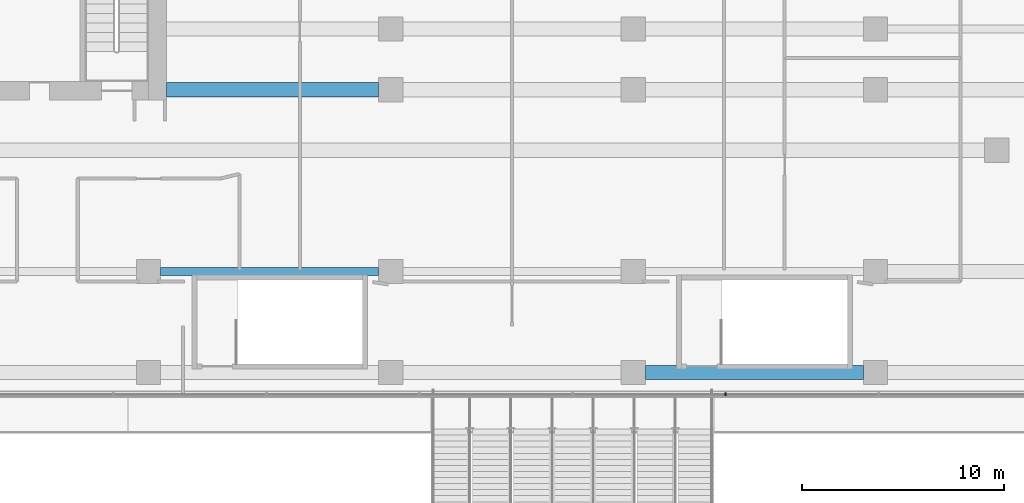
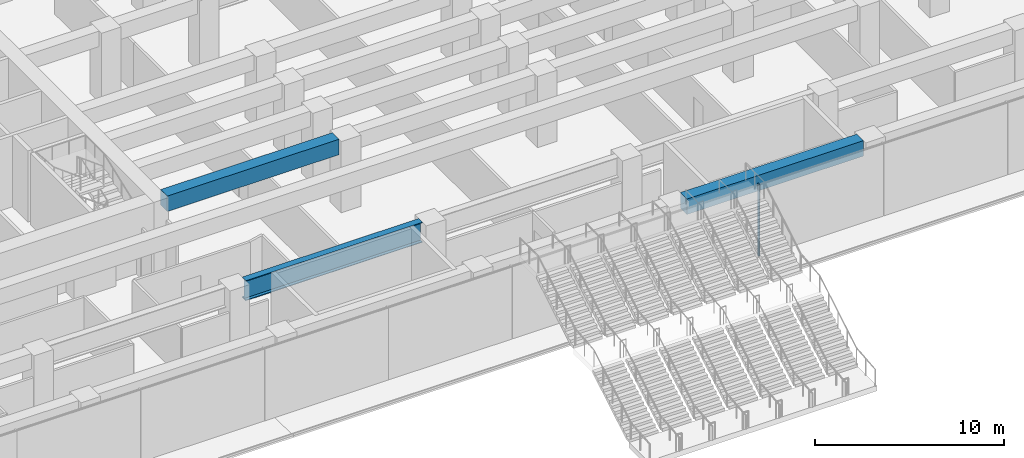
# One storey, part 5 of 40: 3 beams, 1 member, 1 element without a shape of its own.
"""IFC4 building model written with IfcOpenShell, lengths in metres."""

from ifc_helpers import new_model, si_unit, direction, frame, origin, origin_2d, place, context, subcontext, project, spatial, rectangle, i_section, extrude, material, layer, layer_set, material_profile, profile_set, type_object, element, aggregate, save


model = new_model("IFC4")

# Units and contexts
model_context = context("Model", 3, precision=1e-05, world=origin(), true_north=direction((0.0, 1.0)))
body_context = subcontext(model_context, "Body", "Model", "MODEL_VIEW")
ifc_project = project(units=[si_unit("LENGTHUNIT", "METRE"), si_unit("AREAUNIT", "SQUARE_METRE"), si_unit("VOLUMEUNIT", "CUBIC_METRE"), si_unit("PLANEANGLEUNIT", "RADIAN"), si_unit("MASSUNIT", "GRAM", prefix="KILO")], contexts=[model_context])

# Site, building, storey
site_placement = place(None, origin())
site = spatial("IfcSite", under=ifc_project, at=site_placement, CompositionType="ELEMENT")
building_placement = place(site_placement, origin())
building = spatial("IfcBuilding", under=site, at=building_placement, Name="Welwitschia Terrace Campus", CompositionType="ELEMENT")
storey_placement = place(building_placement, frame((0.0, 0.0, 6.0)))
storey = spatial("IfcBuildingStorey", under=building, at=storey_placement, Name="L01", CompositionType="ELEMENT", Elevation=6.0)

# Beams
ifc_material_1 = material(Name="Concrete C60/75", Category="concrete")
ifc_material_profile_1 = material_profile(ifc_material_1, rectangle(XDim=0.699951171875, YDim=1.0, at=origin_2d()))
ifc_profile_set_1 = profile_set([ifc_material_profile_1], Name="Concrete C60/75")
beam_type_1 = type_object("IfcBeamType", Name="Base block beam 700x1000", PredefinedType="BEAM", material=ifc_profile_set_1)
beam_1_placement = place(storey_placement, frame((48.6005859375, -9.0, 4.10009765625), z_axis=(1.0, 0.0, 0.0), x_axis=(0.0, 1.0, 0.0)))
element("IfcBeam", 1, at=beam_1_placement, inside=storey, type_object=beam_type_1, Name="Beam BB1", PredefinedType="BEAM", context=body_context, shape_type="SweptSolid", body=[
    extrude(rectangle(XDim=0.699951171875, YDim=1.0, at=origin_2d()), origin(), (0.0, 0.0, 1.0), 10.798828125),
])
beam_2_placement = place(storey_placement, frame((24.89990234375, 5.0, 4.10009765625), z_axis=(1.0, 0.0, 0.0), x_axis=(0.0, 1.0, 0.0)))
element("IfcBeam", 2, at=beam_2_placement, inside=storey, type_object=beam_type_1, Name="Beam BB1", PredefinedType="BEAM", context=body_context, shape_type="SweptSolid", body=[
    extrude(rectangle(XDim=0.699951171875, YDim=1.0, at=origin_2d()), origin(), (0.0, 0.0, 1.0), 10.49951171875),
])

# Curtain wall, member
ifc_material_2 = material(Name="Bronze anodised aluminium", Category="aluminium")
ifc_layer = layer(ifc_material_2, 0.14990234375)
ifc_layer_set = layer_set([ifc_layer], Name="Bronze anodised aluminium")
curtain_wall_type = type_object("IfcCurtainWallType", Name="Curtain wall CW1 podium 7500", PredefinedType="NOTDEFINED", material=ifc_layer_set)
curtain_wall_placement = place(storey_placement, origin())
curtain_wall = element("IfcCurtainWall", 3, at=curtain_wall_placement, inside=storey, type_object=curtain_wall_type, Name="CW L01.0.0", PredefinedType="NOTDEFINED")
ifc_material_3 = material(Name="Bronze anodised aluminium", Category="aluminium")
ifc_material_profile_2 = material_profile(ifc_material_3, rectangle(XDim=0.14990234375, YDim=0.080078125, at=origin_2d()))
ifc_profile_set_2 = profile_set([ifc_material_profile_2], Name="Bronze anodised aluminium")
member_type = type_object("IfcMemberType", Name="Mullion 80x150", PredefinedType="MULLION", material=ifc_profile_set_2)
member_placement = place(storey_placement, frame((52.574951171875, -10.0849609375, 0.0), z_axis=(0.0, 0.0, 1.0), x_axis=(0.0, 1.0, 0.0)))
member = element("IfcMember", 4, at=member_placement, type_object=member_type, Name="Mullion L01.0.0.7", PredefinedType="MULLION", context=body_context, shape_type="SweptSolid", body=[
    extrude(rectangle(XDim=0.14990234375, YDim=0.080078125, at=origin_2d()), origin(), (0.0, 0.0, 1.0), 4.64990234375),
])
aggregate(curtain_wall, [member])

# Beam
ifc_material_4 = material(Name="Steel S355", Category="steel")
ifc_material_profile_3 = material_profile(ifc_material_4, i_section(OverallWidth=0.39990234375, OverallDepth=1.300048828125, WebThickness=0.02490234375, FlangeThickness=0.0400390625, at=origin_2d()))
ifc_profile_set_3 = profile_set([ifc_material_profile_3], Name="Steel S355")
beam_type_2 = type_object("IfcBeamType", Name="Transfer girder WI 1300x400x25x40", PredefinedType="BEAM", material=ifc_profile_set_3)
beam_3_placement = place(storey_placement, frame((24.6005859375, -4.0, 3.949951171875), z_axis=(1.0, 0.0, 0.0), x_axis=(0.0, 1.0, 0.0)))
element("IfcBeam", 5, at=beam_3_placement, inside=storey, type_object=beam_type_2, Name="Transfer girder TG1", PredefinedType="BEAM", context=body_context, shape_type="SweptSolid", body=[
    extrude(i_section(OverallWidth=0.39990234375, OverallDepth=1.300048828125, WebThickness=0.02490234375, FlangeThickness=0.0400390625, at=origin_2d()), origin(), (0.0, 0.0, 1.0), 10.798828125),
])

save(model, "model.ifc")
